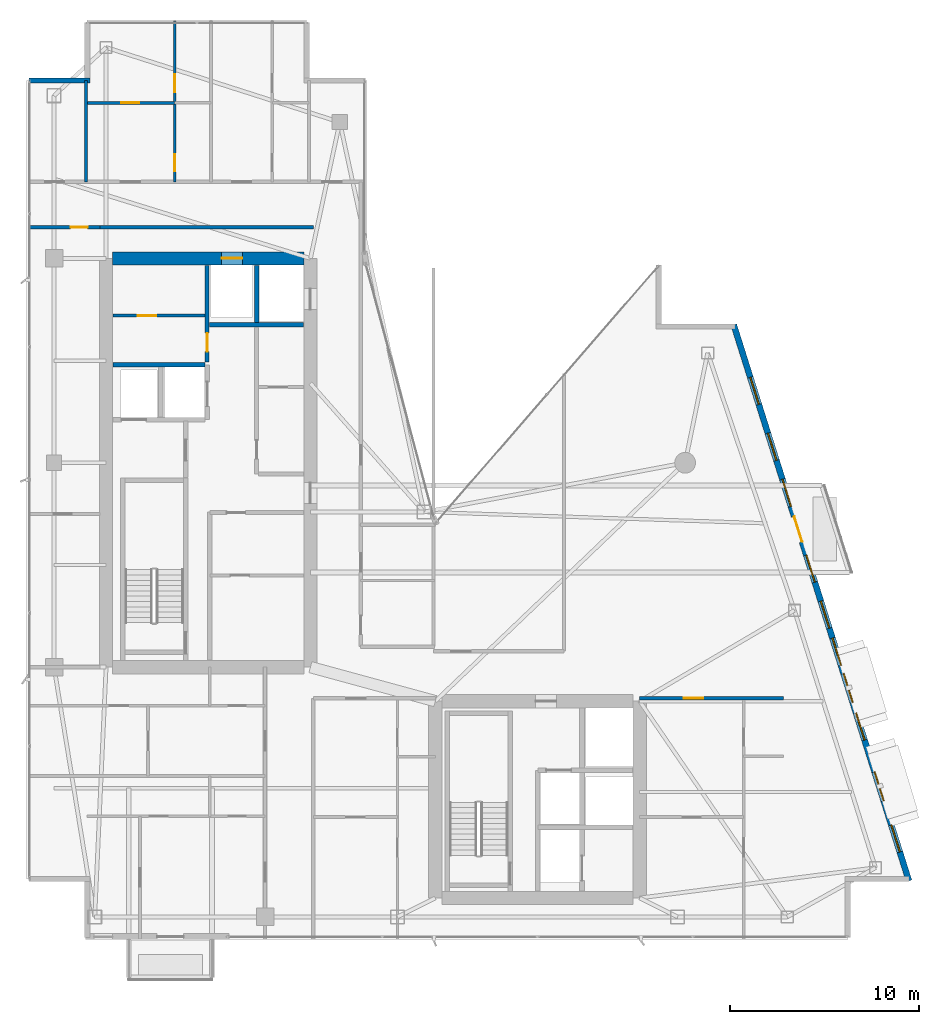
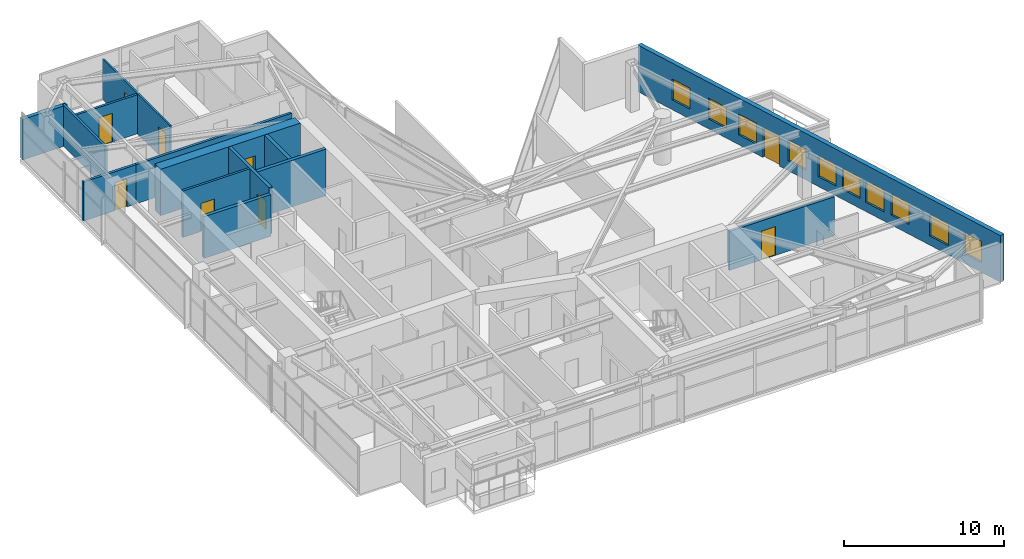
# One storey, part 26 of 29: 14 walls, 10 windows, 9 doors, 19 openings.
"""IFC4 building model written with IfcOpenShell, lengths in metres."""

from ifc_helpers import new_model, si_unit, direction, frame, frame_2d, origin, place, context, subcontext, project, spatial, rectangle, extrude, material, layer, layer_set, type_object, element, fill, save


model = new_model("IFC4")

# Units and contexts
model_context = context("Model", 3, precision=1e-05, world=origin(), true_north=direction((0.0, 1.0)))
body_context = subcontext(model_context, "Body", "Model", "MODEL_VIEW")
ifc_project = project(units=[si_unit("LENGTHUNIT", "METRE"), si_unit("AREAUNIT", "SQUARE_METRE"), si_unit("VOLUMEUNIT", "CUBIC_METRE"), si_unit("PLANEANGLEUNIT", "RADIAN"), si_unit("MASSUNIT", "GRAM", prefix="KILO")], contexts=[model_context])

# Site, building, storey
site_placement = place(None, origin())
site = spatial("IfcSite", under=ifc_project, at=site_placement, CompositionType="ELEMENT")
building_placement = place(site_placement, origin())
building = spatial("IfcBuilding", under=site, at=building_placement, Name="Calvorn Quay Hotel", CompositionType="ELEMENT")
storey_placement = place(building_placement, frame((0.0, 0.0, 255.199951171875)))
storey = spatial("IfcBuildingStorey", under=building, at=storey_placement, Name="L63", CompositionType="ELEMENT", Elevation=255.199951171875)

# Wall, opening, door
ifc_material_1 = material(Name="Concrete C45", Category="concrete")
ifc_layer_1 = layer(ifc_material_1, 0.699951171875)
ifc_layer_set_1 = layer_set([ifc_layer_1], Name="WL-CORE-700")
wall_type_1 = type_object("IfcWallType", Name="WL-CORE-700", PredefinedType="SHEAR", material=ifc_layer_set_1)
wall_1_placement = place(storey_placement, frame((4.550048828125, 38.39990234375, 0.0), z_axis=(0.0, 0.0, 1.0), x_axis=(1.0, 0.0, 0.0)))
wall_1 = element("IfcWall", 1, at=wall_1_placement, inside=storey, type_object=wall_type_1, Name="West Core Shear Wall N (L63)", PredefinedType="SHEAR", context=body_context, shape_type="SweptSolid", body=[
    extrude(rectangle(XDim=10.099853515625, YDim=0.699951171875, at=frame_2d((5.0498046875, 0.0))), origin(), (0.0, 0.0, 1.0), 3.56005859375),
])
opening_1_placement = place(wall_1_placement, frame((5.75, 0.0, 0.0)))
opening_1 = element("IfcOpeningElement", 2, at=opening_1_placement, cuts=wall_1, Name="Opening LD-L63-H2", PredefinedType="OPENING", context=body_context, shape_type="SweptSolid", body=[
    extrude(rectangle(XDim=1.10009765625, YDim=2.199951171875, at=frame_2d((0.550048828125, 1.10009765625))), frame((0.0, 0.35986328125, 0.0), z_axis=(0.0, -1.0, 0.0), x_axis=(1.0, 0.0, 0.0)), (0.0, 0.0, 1.0), 0.719970703125),
])
ifc_material_2 = material(Name="Brushed Stainless Steel Sliding Lift Landing Door", Category="steel")
door_type_1 = type_object("IfcDoorType", Name="DR-LIFT-PASS-1100", OperationType="NOTDEFINED", PredefinedType="DOOR", material=ifc_material_2)
door_1_placement = place(opening_1_placement, origin())
door_1 = element("IfcDoor", 3, at=door_1_placement, inside=storey, type_object=door_type_1, Name="High-Rise Lift PL-H2 Landing Door (L63)", OperationType="DOUBLE_DOOR_SLIDING", OverallHeight=2.199951171875, OverallWidth=1.10009765625, PredefinedType="DOOR", context=body_context, shape_type="SweptSolid", body=[
    extrude(rectangle(XDim=1.10009765625, YDim=2.199951171875, at=frame_2d((0.550048828125, 1.10009765625))), frame((0.0, 0.02490234375, 0.0), z_axis=(0.0, -1.0, 0.0), x_axis=(1.0, 0.0, 0.0)), (0.0, 0.0, 1.0), 0.050048828125),
])
fill(opening_1, door_1)

ifc_material_3 = material(Name="Acoustic Fireboard Steel-Stud Partition", Category="steel")
ifc_layer_2 = layer(ifc_material_3, 0.179931640625)
ifc_layer_set_2 = layer_set([ifc_layer_2], Name="WL-CORR-FIRE-180")
wall_type_2 = type_object("IfcWallType", Name="WL-CORR-FIRE-180", PredefinedType="PARTITIONING", material=ifc_layer_set_2)
wall_2_placement = place(storey_placement, frame((0.080078125, 40.050048828125, 0.0), z_axis=(0.0, 0.0, 1.0), x_axis=(1.0, 0.0, 0.0)))
wall_2 = element("IfcWall", 4, at=wall_2_placement, inside=storey, type_object=wall_type_2, Name="Partition Wall L63-WL-WBAY-N-DOOR", PredefinedType="PARTITIONING", context=body_context, shape_type="SweptSolid", body=[
    extrude(rectangle(XDim=3.7998046875, YDim=0.179931640625, at=frame_2d((1.89990234375, 0.0))), origin(), (0.0, 0.0, 1.0), 2.989990234375),
])
opening_2_placement = place(wall_2_placement, frame((2.25, 0.0, 0.0)))
opening_2 = element("IfcOpeningElement", 5, at=opening_2_placement, cuts=wall_2, Name="Opening D-L63-WBN", PredefinedType="OPENING", context=body_context, shape_type="SweptSolid", body=[
    extrude(rectangle(XDim=0.89990234375, YDim=2.14990234375, at=frame_2d((0.449951171875, 1.074951171875))), frame((0.0, 0.099853515625, 0.0), z_axis=(0.0, -1.0, 0.0), x_axis=(1.0, 0.0, 0.0)), (0.0, 0.0, 1.0), 0.199951171875),
])
ifc_material_4 = material(Name="Moisture-Sealed Timber En-Suite Door", Category="wood")
door_type_2 = type_object("IfcDoorType", Name="DR-ENSUITE-900", OperationType="NOTDEFINED", PredefinedType="DOOR", material=ifc_material_4)
door_2_placement = place(opening_2_placement, origin())
door_2 = element("IfcDoor", 6, at=door_2_placement, inside=storey, type_object=door_type_2, Name="West North Bay Door (L63)", OperationType="SINGLE_SWING_LEFT", OverallHeight=2.14990234375, OverallWidth=0.89990234375, PredefinedType="DOOR", context=body_context, shape_type="SweptSolid", body=[
    extrude(rectangle(XDim=0.89990234375, YDim=2.14990234375, at=frame_2d((0.449951171875, 1.074951171875))), frame((0.0, 0.02490234375, 0.0), z_axis=(0.0, -1.0, 0.0), x_axis=(1.0, 0.0, 0.0)), (0.0, 0.0, 1.0), 0.050048828125),
])
fill(opening_2, door_2)

# Wall
wall_3_placement = place(storey_placement, frame((3.830078125, 40.050048828125, 0.0), z_axis=(0.0, 0.0, 1.0), x_axis=(1.0, 0.0, 0.0)))
element("IfcWall", 7, at=wall_3_placement, inside=storey, type_object=wall_type_2, Name="Partition Wall L63-WL-W-SPUR-S", PredefinedType="PARTITIONING", context=body_context, shape_type="SweptSolid", body=[
    extrude(rectangle(XDim=11.31982421875, YDim=0.179931640625, at=frame_2d((5.659912109375, 0.0))), origin(), (0.0, 0.0, 1.0), 2.989990234375),
])

# Wall, opening, door
wall_4_placement = place(storey_placement, frame((32.39990234375, 15.14990234375, 0.0), z_axis=(0.0, 0.0, 1.0), x_axis=(1.0, 0.0, 0.0)))
wall_4 = element("IfcWall", 8, at=wall_4_placement, inside=storey, type_object=wall_type_2, Name="Partition Wall L63-WL-CORR-SE-S", PredefinedType="PARTITIONING", context=body_context, shape_type="SweptSolid", body=[
    extrude(rectangle(XDim=7.60009765625, YDim=0.179931640625, at=frame_2d((3.800048828125, 0.0))), origin(), (0.0, 0.0, 1.0), 2.989990234375),
])
opening_3_placement = place(wall_4_placement, frame((2.330078125, 0.0, 0.0)))
opening_3 = element("IfcOpeningElement", 9, at=opening_3_placement, cuts=wall_4, Name="Opening D-L63-U06", PredefinedType="OPENING", context=body_context, shape_type="SweptSolid", body=[
    extrude(rectangle(XDim=1.02001953125, YDim=2.199951171875, at=frame_2d((0.510009765625, 1.10009765625))), frame((0.0, 0.099853515625, 0.0), z_axis=(0.0, -1.0, 0.0), x_axis=(1.0, 0.0, 0.0)), (0.0, 0.0, 1.0), 0.199951171875),
])
ifc_material_5 = material(Name="Solid-Core Walnut Veneer Hotel Fire Door")
door_type_3 = type_object("IfcDoorType", Name="DR-GUEST-ENTRY-1020", OperationType="NOTDEFINED", PredefinedType="DOOR", material=ifc_material_5)
door_3_placement = place(opening_3_placement, origin())
door_3 = element("IfcDoor", 10, at=door_3_placement, inside=storey, type_object=door_type_3, Name="South-East Unit Door U06 (L63)", OperationType="SINGLE_SWING_LEFT", OverallHeight=2.199951171875, OverallWidth=1.02001953125, PredefinedType="DOOR", context=body_context, shape_type="SweptSolid", body=[
    extrude(rectangle(XDim=1.02001953125, YDim=2.199951171875, at=frame_2d((0.510009765625, 1.10009765625))), frame((0.0, 0.02490234375, 0.0), z_axis=(0.0, -1.0, 0.0), x_axis=(1.0, 0.0, 0.0)), (0.0, 0.0, 1.0), 0.050048828125),
])
fill(opening_3, door_3)

# Wall, openings, doors
ifc_material_6 = material(Name="Moisture-Resistant Tile-Backed Partition")
ifc_layer_3 = layer(ifc_material_6, 0.125)
ifc_layer_set_3 = layer_set([ifc_layer_3], Name="WL-ENSUITE-125")
wall_type_3 = type_object("IfcWallType", Name="WL-ENSUITE-125", PredefinedType="PARTITIONING", material=ifc_layer_set_3)
wall_5_placement = place(storey_placement, frame((7.820068359375, 42.449951171875, 0.0), z_axis=(0.0, 0.0, 1.0), x_axis=(0.0, 1.0, 0.0)))
wall_5 = element("IfcWall", 11, at=wall_5_placement, inside=storey, type_object=wall_type_3, Name="Partition Wall L63-WL-U04-BV", PredefinedType="PARTITIONING", context=body_context, shape_type="SweptSolid", body=[
    extrude(rectangle(XDim=8.489990234375, YDim=0.125, at=frame_2d((4.2451171875, 0.0))), origin(), (0.0, 0.0, 1.0), 3.090087890625),
])
opening_4_placement = place(wall_5_placement, frame((0.550048828125, 0.0, 0.0)))
opening_4 = element("IfcOpeningElement", 12, at=opening_4_placement, cuts=wall_5, Name="Opening D-L63-E04", PredefinedType="OPENING", context=body_context, shape_type="SweptSolid", body=[
    extrude(rectangle(XDim=0.89990234375, YDim=2.14990234375, at=frame_2d((0.449951171875, 1.074951171875))), frame((0.0, 0.072509765625, 0.0), z_axis=(0.0, -1.0, 0.0), x_axis=(1.0, 0.0, 0.0)), (0.0, 0.0, 1.0), 0.14501953125),
])
opening_5_placement = place(wall_5_placement, frame((4.719970703125, 0.0, 0.0)))
opening_5 = element("IfcOpeningElement", 13, at=opening_5_placement, cuts=wall_5, Name="Opening D-L63-S04", PredefinedType="OPENING", context=body_context, shape_type="SweptSolid", body=[
    extrude(rectangle(XDim=0.9599609375, YDim=2.199951171875, at=frame_2d((0.47998046875, 1.10009765625))), frame((0.0, 0.072509765625, 0.0), z_axis=(0.0, -1.0, 0.0), x_axis=(1.0, 0.0, 0.0)), (0.0, 0.0, 1.0), 0.14501953125),
])
door_4_placement = place(opening_4_placement, origin())
door_4 = element("IfcDoor", 14, at=door_4_placement, inside=storey, type_object=door_type_2, Name="En-Suite Door 04", OperationType="SINGLE_SWING_LEFT", OverallHeight=2.14990234375, OverallWidth=0.89990234375, PredefinedType="DOOR", context=body_context, shape_type="SweptSolid", body=[
    extrude(rectangle(XDim=0.89990234375, YDim=2.14990234375, at=frame_2d((0.449951171875, 1.074951171875))), frame((0.0, 0.02490234375, 0.0), z_axis=(0.0, -1.0, 0.0), x_axis=(1.0, 0.0, 0.0)), (0.0, 0.0, 1.0), 0.050048828125),
])
fill(opening_4, door_4)
ifc_material_7 = material(Name="Solid Timber Internal Suite Door", Category="wood")
door_type_4 = type_object("IfcDoorType", Name="DR-SUITE-INT-960", OperationType="NOTDEFINED", PredefinedType="DOOR", material=ifc_material_7)
door_5_placement = place(opening_5_placement, origin())
door_5 = element("IfcDoor", 15, at=door_5_placement, inside=storey, type_object=door_type_4, Name="Children Play Nursery Door 04", OperationType="SINGLE_SWING_RIGHT", OverallHeight=2.199951171875, OverallWidth=0.9599609375, PredefinedType="DOOR", context=body_context, shape_type="SweptSolid", body=[
    extrude(rectangle(XDim=0.9599609375, YDim=2.199951171875, at=frame_2d((0.47998046875, 1.10009765625))), frame((0.0, 0.02490234375, 0.0), z_axis=(0.0, -1.0, 0.0), x_axis=(1.0, 0.0, 0.0)), (0.0, 0.0, 1.0), 0.050048828125),
])
fill(opening_5, door_5)

# Wall
ifc_material_8 = material(Name="Concrete C40", Category="concrete")
ifc_layer_4 = layer(ifc_material_8, 0.320068359375)
ifc_layer_set_4 = layer_set([ifc_layer_4], Name="WL-EXT-SPANDREL-320")
wall_type_4 = type_object("IfcWallType", Name="WL-EXT-SPANDREL-320", PredefinedType="SOLIDWALL", material=ifc_layer_set_4)
wall_6_placement = place(storey_placement, frame((3.340087890625, 47.800048828125, 0.0), z_axis=(0.0, 0.0, 1.0), x_axis=(-1.0, 0.0, 0.0)))
element("IfcWall", 16, at=wall_6_placement, inside=storey, type_object=wall_type_4, Name="Notched Corner Spandrel L63-NW2", PredefinedType="SOLIDWALL", context=body_context, shape_type="SweptSolid", body=[
    extrude(rectangle(XDim=3.219970703125, YDim=0.280029296875, at=frame_2d((1.60986328125, 0.0))), origin(), (0.0, 0.0, 1.0), 3.090087890625),
])

# Wall, openings, door, windows
wall_7_placement = place(storey_placement, frame((46.6298828125, 5.5048828125, 0.0), z_axis=(0.0, 0.0, 1.0), x_axis=(-0.300501856448, 0.953781229775, 0.0)))
wall_7 = element("IfcWall", 17, at=wall_7_placement, inside=storey, type_object=wall_type_4, Name="East Stepped Waterfront Exterior Wall (L63)", PredefinedType="SOLIDWALL", context=body_context, shape_type="SweptSolid", body=[
    extrude(rectangle(XDim=30.814453125, YDim=0.320068359375, at=frame_2d((15.4072265625, 0.0))), origin(), (0.0, 0.0, 1.0), 3.56005859375),
])
opening_6_placement = place(wall_7_placement, frame((18.7958984375, 0.0, 0.0)))
opening_6 = element("IfcOpeningElement", 18, at=opening_6_placement, cuts=wall_7, Name="Opening DB-L63-1", PredefinedType="OPENING", context=body_context, shape_type="SweptSolid", body=[
    extrude(rectangle(XDim=1.39990234375, YDim=2.25, at=frame_2d((0.699951171875, 1.125))), frame((0.0, 0.169921875, 0.0), z_axis=(0.0, -1.0, 0.0), x_axis=(1.0, 0.0, 0.0)), (0.0, 0.0, 1.0), 0.340087890625),
])
opening_7_placement = place(wall_7_placement, frame((4.43701171875, 0.0, 0.699951171875)))
opening_7 = element("IfcOpeningElement", 19, at=opening_7_placement, cuts=wall_7, Name="Opening WHD-L63-1", PredefinedType="OPENING", context=body_context, shape_type="SweptSolid", body=[
    extrude(rectangle(XDim=1.60009765625, YDim=1.64990234375, at=frame_2d((0.800048828125, 0.824951171875))), frame((0.0, 0.169921875, 0.0), z_axis=(0.0, -1.0, 0.0), x_axis=(1.0, 0.0, 0.0)), (0.0, 0.0, 1.0), 0.340087890625),
])
opening_8_placement = place(wall_7_placement, frame((9.888916015625, 0.0, 0.699951171875)))
opening_8 = element("IfcOpeningElement", 20, at=opening_8_placement, cuts=wall_7, Name="Opening WHD-L63-2", PredefinedType="OPENING", context=body_context, shape_type="SweptSolid", body=[
    extrude(rectangle(XDim=1.60009765625, YDim=1.64990234375, at=frame_2d((0.800048828125, 0.824951171875))), frame((0.0, 0.169921875, 0.0), z_axis=(0.0, -1.0, 0.0), x_axis=(1.0, 0.0, 0.0)), (0.0, 0.0, 1.0), 0.340087890625),
])
opening_9_placement = place(wall_7_placement, frame((1.60009765625, 0.0, 0.75)))
opening_9 = element("IfcOpeningElement", 21, at=opening_9_placement, cuts=wall_7, Name="Opening WG-L63-E1", PredefinedType="OPENING", context=body_context, shape_type="SweptSolid", body=[
    extrude(rectangle(XDim=1.5, YDim=1.60009765625, at=frame_2d((0.75, 0.800048828125))), frame((0.0, 0.169921875, 0.0), z_axis=(0.0, -1.0, 0.0), x_axis=(1.0, 0.0, 0.0)), (0.0, 0.0, 1.0), 0.340087890625),
])
opening_10_placement = place(wall_7_placement, frame((7.800048828125, 0.0, 0.75)))
opening_10 = element("IfcOpeningElement", 22, at=opening_10_placement, cuts=wall_7, Name="Opening WG-L63-E2", PredefinedType="OPENING", context=body_context, shape_type="SweptSolid", body=[
    extrude(rectangle(XDim=1.5, YDim=1.60009765625, at=frame_2d((0.75, 0.800048828125))), frame((0.0, 0.169921875, 0.0), z_axis=(0.0, -1.0, 0.0), x_axis=(1.0, 0.0, 0.0)), (0.0, 0.0, 1.0), 0.340087890625),
])
opening_11_placement = place(wall_7_placement, frame((11.949951171875, 0.0, 0.75)))
opening_11 = element("IfcOpeningElement", 23, at=opening_11_placement, cuts=wall_7, Name="Opening WG-L63-E3", PredefinedType="OPENING", context=body_context, shape_type="SweptSolid", body=[
    extrude(rectangle(XDim=1.5, YDim=1.60009765625, at=frame_2d((0.75, 0.800048828125))), frame((0.0, 0.169921875, 0.0), z_axis=(0.0, -1.0, 0.0), x_axis=(1.0, 0.0, 0.0)), (0.0, 0.0, 1.0), 0.340087890625),
])
opening_12_placement = place(wall_7_placement, frame((14.0, 0.0, 0.75)))
opening_12 = element("IfcOpeningElement", 24, at=opening_12_placement, cuts=wall_7, Name="Opening WG-L63-E4", PredefinedType="OPENING", context=body_context, shape_type="SweptSolid", body=[
    extrude(rectangle(XDim=1.5, YDim=1.60009765625, at=frame_2d((0.75, 0.800048828125))), frame((0.0, 0.169921875, 0.0), z_axis=(0.0, -1.0, 0.0), x_axis=(1.0, 0.0, 0.0)), (0.0, 0.0, 1.0), 0.340087890625),
])
opening_13_placement = place(wall_7_placement, frame((16.550048828125, 0.0, 0.75)))
opening_13 = element("IfcOpeningElement", 25, at=opening_13_placement, cuts=wall_7, Name="Opening WG-L63-E5", PredefinedType="OPENING", context=body_context, shape_type="SweptSolid", body=[
    extrude(rectangle(XDim=1.5, YDim=1.60009765625, at=frame_2d((0.75, 0.800048828125))), frame((0.0, 0.169921875, 0.0), z_axis=(0.0, -1.0, 0.0), x_axis=(1.0, 0.0, 0.0)), (0.0, 0.0, 1.0), 0.340087890625),
])
opening_14_placement = place(wall_7_placement, frame((20.75, 0.0, 0.75)))
opening_14 = element("IfcOpeningElement", 26, at=opening_14_placement, cuts=wall_7, Name="Opening WG-L63-E6", PredefinedType="OPENING", context=body_context, shape_type="SweptSolid", body=[
    extrude(rectangle(XDim=1.5, YDim=1.60009765625, at=frame_2d((0.75, 0.800048828125))), frame((0.0, 0.169921875, 0.0), z_axis=(0.0, -1.0, 0.0), x_axis=(1.0, 0.0, 0.0)), (0.0, 0.0, 1.0), 0.340087890625),
])
opening_15_placement = place(wall_7_placement, frame((23.300048828125, 0.0, 0.75)))
opening_15 = element("IfcOpeningElement", 27, at=opening_15_placement, cuts=wall_7, Name="Opening WG-L63-E7", PredefinedType="OPENING", context=body_context, shape_type="SweptSolid", body=[
    extrude(rectangle(XDim=1.5, YDim=1.60009765625, at=frame_2d((0.75, 0.800048828125))), frame((0.0, 0.169921875, 0.0), z_axis=(0.0, -1.0, 0.0), x_axis=(1.0, 0.0, 0.0)), (0.0, 0.0, 1.0), 0.340087890625),
])
opening_16_placement = place(wall_7_placement, frame((26.39990234375, 0.0, 0.75)))
opening_16 = element("IfcOpeningElement", 28, at=opening_16_placement, cuts=wall_7, Name="Opening WG-L63-E8", PredefinedType="OPENING", context=body_context, shape_type="SweptSolid", body=[
    extrude(rectangle(XDim=1.5, YDim=1.60009765625, at=frame_2d((0.75, 0.800048828125))), frame((0.0, 0.169921875, 0.0), z_axis=(0.0, -1.0, 0.0), x_axis=(1.0, 0.0, 0.0)), (0.0, 0.0, 1.0), 0.340087890625),
])
ifc_material_9 = material(Name="Typhoon-Rated Low-E Aluminium Terrace Door", Category="aluminium")
door_type_5 = type_object("IfcDoorType", Name="DR-BALCONY-GLZ-1400", OperationType="NOTDEFINED", PredefinedType="DOOR", material=ifc_material_9)
door_6_placement = place(opening_6_placement, origin())
door_6 = element("IfcDoor", 29, at=door_6_placement, inside=storey, type_object=door_type_5, Name="Tree Balcony Terrace Door L63-BALC-E", OperationType="SINGLE_SWING_LEFT", OverallHeight=2.25, OverallWidth=1.39990234375, PredefinedType="DOOR", context=body_context, shape_type="SweptSolid", body=[
    extrude(rectangle(XDim=1.39990234375, YDim=2.25, at=frame_2d((0.699951171875, 1.125))), frame((0.0, 0.02490234375, 0.0), z_axis=(0.0, -1.0, 0.0), x_axis=(1.0, 0.0, 0.0)), (0.0, 0.0, 1.0), 0.050048828125),
])
fill(opening_6, door_6)
ifc_material_10 = material(Name="Champagne-Bronze Aluminium Low-E Window", Category="aluminium")
window_type_1 = type_object("IfcWindowType", Name="WIN-GUEST-SIDE-1600x2100", PartitioningType="SINGLE_PANEL", PredefinedType="WINDOW", material=ifc_material_10)
window_1_placement = place(opening_7_placement, origin())
window_1 = element("IfcWindow", 30, at=window_1_placement, inside=storey, type_object=window_type_1, Name="Bay Hood Window L63-HOOD-1", OverallHeight=1.64990234375, OverallWidth=1.60009765625, PartitioningType="SINGLE_PANEL", PredefinedType="WINDOW", context=body_context, shape_type="SweptSolid", body=[
    extrude(rectangle(XDim=1.60009765625, YDim=1.64990234375, at=frame_2d((0.800048828125, 0.824951171875))), frame((0.0, 0.030029296875, 0.0), z_axis=(0.0, -1.0, 0.0), x_axis=(1.0, 0.0, 0.0)), (0.0, 0.0, 1.0), 0.06005859375),
])
fill(opening_7, window_1)
window_2_placement = place(opening_8_placement, origin())
window_2 = element("IfcWindow", 31, at=window_2_placement, inside=storey, type_object=window_type_1, Name="Bay Hood Window L63-HOOD-2", OverallHeight=1.64990234375, OverallWidth=1.60009765625, PartitioningType="SINGLE_PANEL", PredefinedType="WINDOW", context=body_context, shape_type="SweptSolid", body=[
    extrude(rectangle(XDim=1.60009765625, YDim=1.64990234375, at=frame_2d((0.800048828125, 0.824951171875))), frame((0.0, 0.030029296875, 0.0), z_axis=(0.0, -1.0, 0.0), x_axis=(1.0, 0.0, 0.0)), (0.0, 0.0, 1.0), 0.06005859375),
])
fill(opening_8, window_2)
ifc_material_11 = material(Name="Self-Closing Class B Fire Window")
window_type_2 = type_object("IfcWindowType", Name="WIN-REFUGE-1500x1600", PartitioningType="SINGLE_PANEL", PredefinedType="WINDOW", material=ifc_material_11)
window_3_placement = place(opening_9_placement, origin())
window_3 = element("IfcWindow", 32, at=window_3_placement, inside=storey, type_object=window_type_2, Name="East Facade Window L63-E1", OverallHeight=1.60009765625, OverallWidth=1.5, PartitioningType="SINGLE_PANEL", PredefinedType="WINDOW", context=body_context, shape_type="SweptSolid", body=[
    extrude(rectangle(XDim=1.5, YDim=1.60009765625, at=frame_2d((0.75, 0.800048828125))), frame((0.0, 0.030029296875, 0.0), z_axis=(0.0, -1.0, 0.0), x_axis=(1.0, 0.0, 0.0)), (0.0, 0.0, 1.0), 0.06005859375),
])
fill(opening_9, window_3)
window_4_placement = place(opening_10_placement, origin())
window_4 = element("IfcWindow", 33, at=window_4_placement, inside=storey, type_object=window_type_2, Name="East Facade Window L63-E2", OverallHeight=1.60009765625, OverallWidth=1.5, PartitioningType="SINGLE_PANEL", PredefinedType="WINDOW", context=body_context, shape_type="SweptSolid", body=[
    extrude(rectangle(XDim=1.5, YDim=1.60009765625, at=frame_2d((0.75, 0.800048828125))), frame((0.0, 0.030029296875, 0.0), z_axis=(0.0, -1.0, 0.0), x_axis=(1.0, 0.0, 0.0)), (0.0, 0.0, 1.0), 0.06005859375),
])
fill(opening_10, window_4)
window_5_placement = place(opening_11_placement, origin())
window_5 = element("IfcWindow", 34, at=window_5_placement, inside=storey, type_object=window_type_2, Name="East Facade Window L63-E3", OverallHeight=1.60009765625, OverallWidth=1.5, PartitioningType="SINGLE_PANEL", PredefinedType="WINDOW", context=body_context, shape_type="SweptSolid", body=[
    extrude(rectangle(XDim=1.5, YDim=1.60009765625, at=frame_2d((0.75, 0.800048828125))), frame((0.0, 0.030029296875, 0.0), z_axis=(0.0, -1.0, 0.0), x_axis=(1.0, 0.0, 0.0)), (0.0, 0.0, 1.0), 0.06005859375),
])
fill(opening_11, window_5)
window_6_placement = place(opening_12_placement, origin())
window_6 = element("IfcWindow", 35, at=window_6_placement, inside=storey, type_object=window_type_2, Name="East Facade Window L63-E4", OverallHeight=1.60009765625, OverallWidth=1.5, PartitioningType="SINGLE_PANEL", PredefinedType="WINDOW", context=body_context, shape_type="SweptSolid", body=[
    extrude(rectangle(XDim=1.5, YDim=1.60009765625, at=frame_2d((0.75, 0.800048828125))), frame((0.0, 0.030029296875, 0.0), z_axis=(0.0, -1.0, 0.0), x_axis=(1.0, 0.0, 0.0)), (0.0, 0.0, 1.0), 0.06005859375),
])
fill(opening_12, window_6)
window_7_placement = place(opening_13_placement, origin())
window_7 = element("IfcWindow", 36, at=window_7_placement, inside=storey, type_object=window_type_2, Name="East Facade Window L63-E5", OverallHeight=1.60009765625, OverallWidth=1.5, PartitioningType="SINGLE_PANEL", PredefinedType="WINDOW", context=body_context, shape_type="SweptSolid", body=[
    extrude(rectangle(XDim=1.5, YDim=1.60009765625, at=frame_2d((0.75, 0.800048828125))), frame((0.0, 0.030029296875, 0.0), z_axis=(0.0, -1.0, 0.0), x_axis=(1.0, 0.0, 0.0)), (0.0, 0.0, 1.0), 0.06005859375),
])
fill(opening_13, window_7)
window_8_placement = place(opening_14_placement, origin())
window_8 = element("IfcWindow", 37, at=window_8_placement, inside=storey, type_object=window_type_2, Name="East Facade Window L63-E6", OverallHeight=1.60009765625, OverallWidth=1.5, PartitioningType="SINGLE_PANEL", PredefinedType="WINDOW", context=body_context, shape_type="SweptSolid", body=[
    extrude(rectangle(XDim=1.5, YDim=1.60009765625, at=frame_2d((0.75, 0.800048828125))), frame((0.0, 0.030029296875, 0.0), z_axis=(0.0, -1.0, 0.0), x_axis=(1.0, 0.0, 0.0)), (0.0, 0.0, 1.0), 0.06005859375),
])
fill(opening_14, window_8)
window_9_placement = place(opening_15_placement, origin())
window_9 = element("IfcWindow", 38, at=window_9_placement, inside=storey, type_object=window_type_2, Name="East Facade Window L63-E7", OverallHeight=1.60009765625, OverallWidth=1.5, PartitioningType="SINGLE_PANEL", PredefinedType="WINDOW", context=body_context, shape_type="SweptSolid", body=[
    extrude(rectangle(XDim=1.5, YDim=1.60009765625, at=frame_2d((0.75, 0.800048828125))), frame((0.0, 0.030029296875, 0.0), z_axis=(0.0, -1.0, 0.0), x_axis=(1.0, 0.0, 0.0)), (0.0, 0.0, 1.0), 0.06005859375),
])
fill(opening_15, window_9)
window_10_placement = place(opening_16_placement, origin())
window_10 = element("IfcWindow", 39, at=window_10_placement, inside=storey, type_object=window_type_2, Name="East Facade Window L63-E8", OverallHeight=1.60009765625, OverallWidth=1.5, PartitioningType="SINGLE_PANEL", PredefinedType="WINDOW", context=body_context, shape_type="SweptSolid", body=[
    extrude(rectangle(XDim=1.5, YDim=1.60009765625, at=frame_2d((0.75, 0.800048828125))), frame((0.0, 0.030029296875, 0.0), z_axis=(0.0, -1.0, 0.0), x_axis=(1.0, 0.0, 0.0)), (0.0, 0.0, 1.0), 0.06005859375),
])
fill(opening_16, window_10)

# Wall, opening, door
ifc_material_12 = material(Name="Double-Stud Acoustic Gypsum Partition")
ifc_layer_5 = layer(ifc_material_12, 0.159912109375)
ifc_layer_set_5 = layer_set([ifc_layer_5], Name="WL-INTERSUITE-160")
wall_type_5 = type_object("IfcWallType", Name="WL-INTERSUITE-160", PredefinedType="PARTITIONING", material=ifc_layer_set_5)
wall_8_placement = place(storey_placement, frame((4.570068359375, 35.3798828125, 0.0), z_axis=(0.0, 0.0, 1.0), x_axis=(1.0, 0.0, 0.0)))
wall_8 = element("IfcWall", 40, at=wall_8_placement, inside=storey, type_object=wall_type_5, Name="Partition Wall L63-WL-CWW-K-MID", PredefinedType="PARTITIONING", context=body_context, shape_type="SweptSolid", body=[
    extrude(rectangle(XDim=4.849853515625, YDim=0.159912109375, at=frame_2d((2.4248046875, 0.0))), origin(), (0.0, 0.0, 1.0), 3.56005859375),
])
opening_17_placement = place(wall_8_placement, frame((1.300048828125, 0.0, 0.0)))
opening_17 = element("IfcOpeningElement", 41, at=opening_17_placement, cuts=wall_8, Name="Opening D-L63-CK2", PredefinedType="OPENING", context=body_context, shape_type="SweptSolid", body=[
    extrude(rectangle(XDim=0.97998046875, YDim=2.14990234375, at=frame_2d((0.489990234375, 1.074951171875))), frame((0.0, 0.08984375, 0.0), z_axis=(0.0, -1.0, 0.0), x_axis=(1.0, 0.0, 0.0)), (0.0, 0.0, 1.0), 0.179931640625),
])
ifc_material_13 = material(Name="Painted Steel Housekeeping/Riser Fire Door", Category="steel")
door_type_6 = type_object("IfcDoorType", Name="DR-SERVICE-980", OperationType="NOTDEFINED", PredefinedType="DOOR", material=ifc_material_13)
door_7_placement = place(opening_17_placement, origin())
door_7 = element("IfcDoor", 42, at=door_7_placement, inside=storey, type_object=door_type_6, Name="Electrical Riser Door (L63)", OperationType="SINGLE_SWING_RIGHT", OverallHeight=2.14990234375, OverallWidth=0.97998046875, PredefinedType="DOOR", context=body_context, shape_type="SweptSolid", body=[
    extrude(rectangle(XDim=0.97998046875, YDim=2.14990234375, at=frame_2d((0.489990234375, 1.074951171875))), frame((0.0, 0.02490234375, 0.0), z_axis=(0.0, -1.0, 0.0), x_axis=(1.0, 0.0, 0.0)), (0.0, 0.0, 1.0), 0.050048828125),
])
fill(opening_17, door_7)

# Wall
wall_9_placement = place(storey_placement, frame((3.14990234375, 42.449951171875, 0.0), z_axis=(0.0, 0.0, 1.0), x_axis=(0.0, 1.0, 0.0)))
element("IfcWall", 43, at=wall_9_placement, inside=storey, type_object=wall_type_5, Name="Partition Wall L63-WL-NW-DIV-W0", PredefinedType="PARTITIONING", context=body_context, shape_type="SweptSolid", body=[
    extrude(rectangle(XDim=5.35009765625, YDim=0.159912109375, at=frame_2d((2.675048828125, 0.0))), origin(), (0.0, 0.0, 1.0), 3.14013671875),
])

# Wall, opening, door
wall_10_placement = place(storey_placement, frame((3.14990234375, 46.6201171875, 0.0), z_axis=(0.0, 0.0, 1.0), x_axis=(1.0, 0.0, 0.0)))
wall_10 = element("IfcWall", 44, at=wall_10_placement, inside=storey, type_object=wall_type_5, Name="Partition Wall L63-WL-U04-MSP", PredefinedType="PARTITIONING", context=body_context, shape_type="SweptSolid", body=[
    extrude(rectangle(XDim=4.670166015625, YDim=0.159912109375, at=frame_2d((2.3349609375, 0.0))), origin(), (0.0, 0.0, 1.0), 2.989990234375),
])
opening_18_placement = place(wall_10_placement, frame((1.85009765625, 0.0, 0.0)))
opening_18 = element("IfcOpeningElement", 45, at=opening_18_placement, cuts=wall_10, Name="Opening D-L63-M04", PredefinedType="OPENING", context=body_context, shape_type="SweptSolid", body=[
    extrude(rectangle(XDim=0.9599609375, YDim=2.199951171875, at=frame_2d((0.47998046875, 1.10009765625))), frame((0.0, 0.08984375, 0.0), z_axis=(0.0, -1.0, 0.0), x_axis=(1.0, 0.0, 0.0)), (0.0, 0.0, 1.0), 0.179931640625),
])
door_8_placement = place(opening_18_placement, origin())
door_8 = element("IfcDoor", 46, at=door_8_placement, inside=storey, type_object=door_type_4, Name="Suite Bedroom Door 04", OperationType="SINGLE_SWING_LEFT", OverallHeight=2.199951171875, OverallWidth=0.9599609375, PredefinedType="DOOR", context=body_context, shape_type="SweptSolid", body=[
    extrude(rectangle(XDim=0.9599609375, YDim=2.199951171875, at=frame_2d((0.47998046875, 1.10009765625))), frame((0.0, 0.02490234375, 0.0), z_axis=(0.0, -1.0, 0.0), x_axis=(1.0, 0.0, 0.0)), (0.0, 0.0, 1.0), 0.050048828125),
])
fill(opening_18, door_8)

ifc_material_14 = material(Name="Autoclaved Aerated Masonry Block", Category="masonry")
ifc_layer_6 = layer(ifc_material_14, 0.219970703125)
ifc_layer_set_6 = layer_set([ifc_layer_6], Name="WL-LOBBY-FIRE-220")
wall_type_6 = type_object("IfcWallType", Name="WL-LOBBY-FIRE-220", PredefinedType="SOLIDWALL", material=ifc_layer_set_6)
wall_11_placement = place(storey_placement, frame((9.5400390625, 32.919921875, 0.0), z_axis=(0.0, 0.0, 1.0), x_axis=(0.0, 1.0, 0.0)))
wall_11 = element("IfcWall", 47, at=wall_11_placement, inside=storey, type_object=wall_type_6, Name="Partition Wall L63-WL-CWW-K-E", PredefinedType="SOLIDWALL", context=body_context, shape_type="SweptSolid", body=[
    extrude(rectangle(XDim=5.110107421875, YDim=0.219970703125, at=frame_2d((2.55517578125, 0.0))), origin(), (0.0, 0.0, 1.0), 3.56005859375),
])
opening_19_placement = place(wall_11_placement, frame((0.550048828125, 0.0, 0.0)))
opening_19 = element("IfcOpeningElement", 48, at=opening_19_placement, cuts=wall_11, Name="Opening D-L63-CK1", PredefinedType="OPENING", context=body_context, shape_type="SweptSolid", body=[
    extrude(rectangle(XDim=0.97998046875, YDim=2.14990234375, at=frame_2d((0.489990234375, 1.074951171875))), frame((0.0, 0.119873046875, 0.0), z_axis=(0.0, -1.0, 0.0), x_axis=(1.0, 0.0, 0.0)), (0.0, 0.0, 1.0), 0.239990234375),
])
door_9_placement = place(opening_19_placement, origin())
door_9 = element("IfcDoor", 49, at=door_9_placement, inside=storey, type_object=door_type_6, Name="Core Housekeeping Door (L63)", OperationType="SINGLE_SWING_LEFT", OverallHeight=2.14990234375, OverallWidth=0.97998046875, PredefinedType="DOOR", context=body_context, shape_type="SweptSolid", body=[
    extrude(rectangle(XDim=0.97998046875, YDim=2.14990234375, at=frame_2d((0.489990234375, 1.074951171875))), frame((0.0, 0.02490234375, 0.0), z_axis=(0.0, -1.0, 0.0), x_axis=(1.0, 0.0, 0.0)), (0.0, 0.0, 1.0), 0.050048828125),
])
fill(opening_19, door_9)

# Walls
ifc_material_15 = material(Name="Concrete C40", Category="concrete")
ifc_layer_7 = layer(ifc_material_15, 0.239990234375)
ifc_layer_set_7 = layer_set([ifc_layer_7], Name="WL-SHAFT-240")
wall_type_7 = type_object("IfcWallType", Name="WL-SHAFT-240", PredefinedType="SOLIDWALL", material=ifc_layer_set_7)
wall_12_placement = place(storey_placement, frame((4.570068359375, 32.780029296875, 0.0), z_axis=(0.0, 0.0, 1.0), x_axis=(1.0, 0.0, 0.0)))
element("IfcWall", 50, at=wall_12_placement, inside=storey, type_object=wall_type_7, Name="Partition Wall L63-WL-CWW-SLW-N", PredefinedType="SOLIDWALL", context=body_context, shape_type="SweptSolid", body=[
    extrude(rectangle(XDim=4.849853515625, YDim=0.239990234375, at=frame_2d((2.4248046875, 0.0))), origin(), (0.0, 0.0, 1.0), 3.18994140625),
])
wall_13_placement = place(storey_placement, frame((9.659912109375, 34.89990234375, 0.0), z_axis=(0.0, 0.0, 1.0), x_axis=(1.0, 0.0, 0.0)))
element("IfcWall", 51, at=wall_13_placement, inside=storey, type_object=wall_type_7, Name="Partition Wall L63-WL-CWW-PLH-S", PredefinedType="SOLIDWALL", context=body_context, shape_type="SweptSolid", body=[
    extrude(rectangle(XDim=4.969970703125, YDim=0.239990234375, at=frame_2d((2.48486328125, 0.0))), origin(), (0.0, 0.0, 1.0), 3.56005859375),
])
wall_14_placement = place(storey_placement, frame((12.14990234375, 35.02001953125, 0.0), z_axis=(0.0, 0.0, 1.0), x_axis=(0.0, 1.0, 0.0)))
element("IfcWall", 52, at=wall_14_placement, inside=storey, type_object=wall_type_7, Name="Partition Wall L63-WL-CWW-PLH-DIV", PredefinedType="SOLIDWALL", context=body_context, shape_type="SweptSolid", body=[
    extrude(rectangle(XDim=3.010009765625, YDim=0.239990234375, at=frame_2d((1.5048828125, 0.0))), origin(), (0.0, 0.0, 1.0), 3.56005859375),
])

save(model, "model.ifc")
